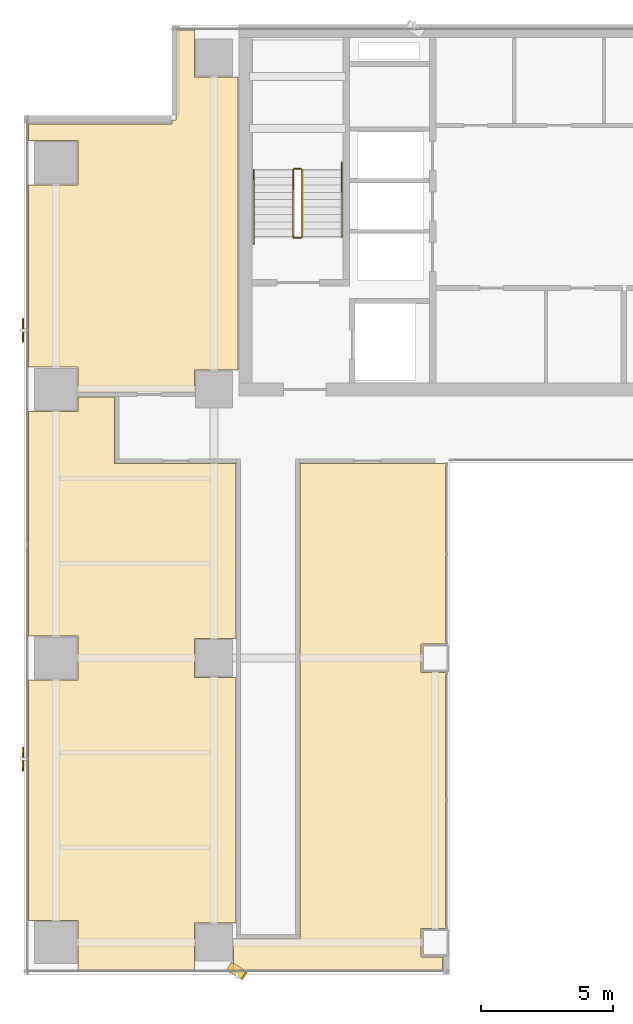
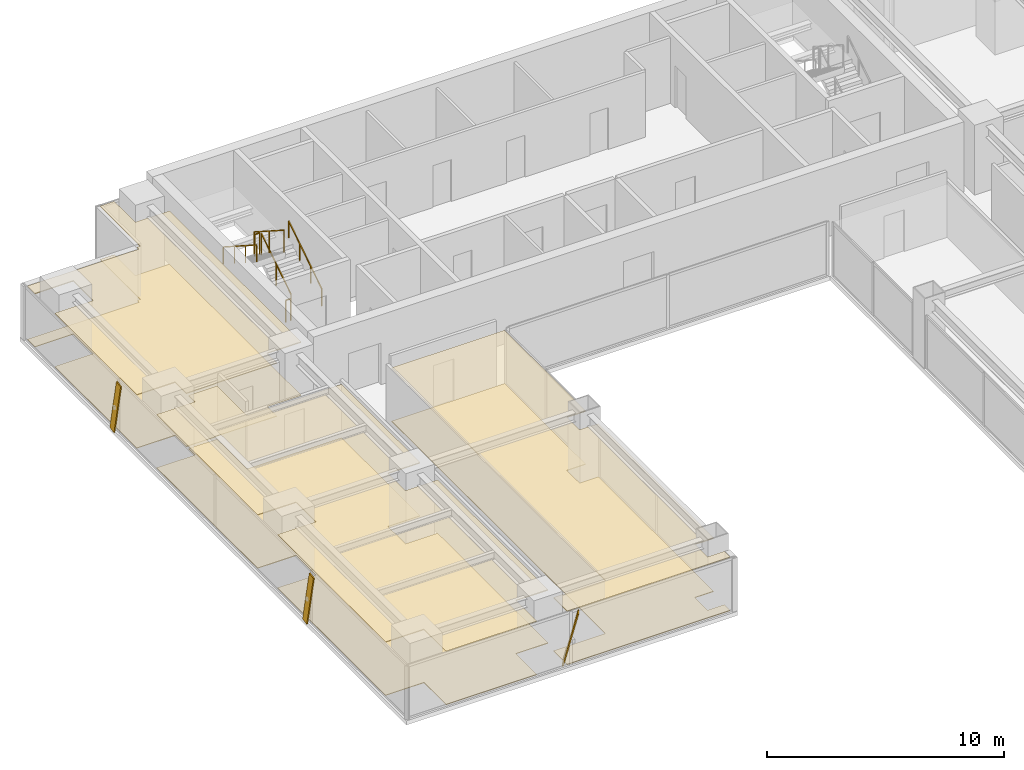
# One storey, part 26 of 29: 6 coverings, 6 railings, 3 shading devices.
"""IFC4 building model written with IfcOpenShell, lengths in metres."""

from ifc_helpers import new_model, si_unit, direction, frame, origin, origin_2d, place, context, subcontext, project, spatial, polyline, rectangle, outline, extrude, source, transform, mapped, material, layer, layer_set, material_profile, profile_set, type_object, element, save


model = new_model("IFC4")

# Units and contexts
model_context = context("Model", 3, precision=1e-05, world=origin(), true_north=direction((0.0, 1.0)))
body_context = subcontext(model_context, "Body", "Model", "MODEL_VIEW")
ifc_project = project(units=[si_unit("LENGTHUNIT", "METRE"), si_unit("AREAUNIT", "SQUARE_METRE"), si_unit("VOLUMEUNIT", "CUBIC_METRE"), si_unit("PLANEANGLEUNIT", "RADIAN"), si_unit("MASSUNIT", "GRAM", prefix="KILO")], contexts=[model_context])

# Site, building, storey
site_placement = place(None, origin())
site = spatial("IfcSite", under=ifc_project, at=site_placement, CompositionType="ELEMENT")
building_placement = place(site_placement, origin())
building = spatial("IfcBuilding", under=site, at=building_placement, Name="Sumidabori Civic Tower", CompositionType="ELEMENT")
storey_placement = place(building_placement, frame((0.0, 0.0, 214.39990234375)))
storey = spatial("IfcBuildingStorey", under=building, at=storey_placement, Name="L55", CompositionType="ELEMENT", Elevation=214.39990234375)

# Coverings
ifc_material_1 = material(Name="Perforated Timber Acoustic Ceiling", Category="wood")
ifc_layer_1 = layer(ifc_material_1, 0.044921875, Name="Perforated Timber Acoustic Ceiling")
ifc_layer_set_1 = layer_set([ifc_layer_1], Name="Perforated Timber Acoustic Ceiling")
covering_type_1 = type_object("IfcCoveringType", Name="CV-CEIL-AC2", PredefinedType="CEILING", material=ifc_layer_set_1)
covering_1_placement = place(storey_placement, frame((0.0, 0.0, 2.72998046875)))
element("IfcCovering", 1, at=covering_1_placement, inside=storey, type_object=covering_type_1, Name="Room Acoustic Ceiling L55-01", PredefinedType="CEILING", context=body_context, shape_type="SweptSolid", body=[
    extrude(outline(polyline([(-23.830078125, 17.9599609375), (-21.9599609375, 17.9599609375), (-21.9599609375, 19.639892578125), (-23.830078125, 19.639892578125), (-23.830078125, 20.27197265625), (-18.39208984375, 20.27197265625), (-18.39208984375, 20.429931640625), (-18.22998046875, 20.429931640625), (-18.22998046875, 23.830078125), (-17.5400390625, 23.830078125), (-17.5400390625, 22.06005859375), (-15.8779296875, 22.06005859375), (-15.8779296875, 10.93994140625), (-17.5400390625, 10.93994140625), (-17.5400390625, 10.1201171875), (-20.570068359375, 10.1201171875), (-20.570068359375, 10.094970703125), (-21.9599609375, 10.094970703125), (-21.9599609375, 11.0400390625), (-23.830078125, 11.0400390625), (-23.830078125, 17.9599609375)])), origin(), (0.0, 0.0, 1.0), 0.045166015625),
])
covering_2_placement = place(storey_placement, frame((0.0, 0.0, 2.72998046875)))
element("IfcCovering", 2, at=covering_2_placement, inside=storey, type_object=covering_type_1, Name="Room Acoustic Ceiling L55-03", PredefinedType="CEILING", context=body_context, shape_type="SweptSolid", body=[
    extrude(outline(polyline([(-23.830078125, -0.840087890625), (-21.9599609375, -0.840087890625), (-21.9599609375, 0.840087890625), (-23.830078125, 0.840087890625), (-23.830078125, 9.360107421875), (-21.9599609375, 9.360107421875), (-21.9599609375, 9.905029296875), (-20.570068359375, 9.905029296875), (-20.570068359375, 7.3798828125), (-15.969970703125, 7.3798828125), (-15.969970703125, 0.739990234375), (-17.5400390625, 0.739990234375), (-17.5400390625, -0.739990234375), (-15.969970703125, -0.739990234375), (-15.969970703125, -10.06005859375), (-17.5400390625, -10.06005859375), (-17.5400390625, -11.830078125), (-21.9599609375, -11.830078125), (-21.9599609375, -9.9599609375), (-23.830078125, -9.9599609375), (-23.830078125, -0.840087890625)])), origin(), (0.0, 0.0, 1.0), 0.045166015625),
])
covering_3_placement = place(storey_placement, frame((0.0, 0.0, 2.72998046875)))
element("IfcCovering", 3, at=covering_3_placement, inside=storey, type_object=covering_type_1, Name="Room Acoustic Ceiling L55-05", PredefinedType="CEILING", context=body_context, shape_type="SweptSolid", body=[
    extrude(outline(polyline([(-16.06005859375, -10.669921875), (-13.530029296875, -10.669921875), (-13.530029296875, 7.3798828125), (-8.02001953125, 7.3798828125), (-8.02001953125, 0.5400390625), (-8.93994140625, 0.5400390625), (-8.93994140625, -0.5400390625), (-8.02001953125, -0.5400390625), (-8.02001953125, -10.260009765625), (-8.93994140625, -10.260009765625), (-8.93994140625, -11.340087890625), (-8.117919921875, -11.341796875), (-8.117919921875, -11.830078125), (-16.06005859375, -11.830078125), (-16.06005859375, -10.669921875)])), origin(), (0.0, 0.0, 1.0), 0.045166015625),
])
ifc_material_2 = material(Name="Honed Terrazzo Tile Flooring")
ifc_layer_2 = layer(ifc_material_2, 0.030029296875, Name="Honed Terrazzo Tile Flooring")
ifc_layer_set_2 = layer_set([ifc_layer_2], Name="Honed Terrazzo Tile Flooring")
covering_type_2 = type_object("IfcCoveringType", Name="CV-FLR-TER", PredefinedType="FLOORING", material=ifc_layer_set_2)
covering_4_placement = place(storey_placement, origin())
element("IfcCovering", 4, at=covering_4_placement, inside=storey, type_object=covering_type_2, Name="Room Terrazzo Floor L55-01", PredefinedType="FLOORING", context=body_context, shape_type="SweptSolid", body=[
    extrude(outline(polyline([(-23.830078125, 17.9599609375), (-21.9599609375, 17.9599609375), (-21.9599609375, 19.639892578125), (-23.830078125, 19.639892578125), (-23.830078125, 20.27197265625), (-18.39208984375, 20.27197265625), (-18.39208984375, 20.429931640625), (-18.22998046875, 20.429931640625), (-18.22998046875, 23.830078125), (-17.5400390625, 23.830078125), (-17.5400390625, 22.06005859375), (-15.8779296875, 22.06005859375), (-15.8779296875, 10.93994140625), (-17.5400390625, 10.93994140625), (-17.5400390625, 10.1201171875), (-20.570068359375, 10.1201171875), (-20.570068359375, 10.094970703125), (-21.9599609375, 10.094970703125), (-21.9599609375, 11.0400390625), (-23.830078125, 11.0400390625), (-23.830078125, 17.9599609375)])), origin(), (0.0, 0.0, 1.0), 0.030029296875),
])
covering_5_placement = place(storey_placement, origin())
element("IfcCovering", 5, at=covering_5_placement, inside=storey, type_object=covering_type_2, Name="Room Terrazzo Floor L55-03", PredefinedType="FLOORING", context=body_context, shape_type="SweptSolid", body=[
    extrude(outline(polyline([(-23.830078125, -0.840087890625), (-21.9599609375, -0.840087890625), (-21.9599609375, 0.840087890625), (-23.830078125, 0.840087890625), (-23.830078125, 9.360107421875), (-21.9599609375, 9.360107421875), (-21.9599609375, 9.905029296875), (-20.570068359375, 9.905029296875), (-20.570068359375, 7.3798828125), (-15.969970703125, 7.3798828125), (-15.969970703125, 0.739990234375), (-17.5400390625, 0.739990234375), (-17.5400390625, -0.739990234375), (-15.969970703125, -0.739990234375), (-15.969970703125, -10.06005859375), (-17.5400390625, -10.06005859375), (-17.5400390625, -11.830078125), (-21.9599609375, -11.830078125), (-21.9599609375, -9.9599609375), (-23.830078125, -9.9599609375), (-23.830078125, -0.840087890625)])), origin(), (0.0, 0.0, 1.0), 0.030029296875),
])
covering_6_placement = place(storey_placement, origin())
element("IfcCovering", 6, at=covering_6_placement, inside=storey, type_object=covering_type_2, Name="Room Terrazzo Floor L55-05", PredefinedType="FLOORING", context=body_context, shape_type="SweptSolid", body=[
    extrude(outline(polyline([(-16.06005859375, -10.669921875), (-13.530029296875, -10.669921875), (-13.530029296875, 7.3798828125), (-8.02001953125, 7.3798828125), (-8.02001953125, 0.5400390625), (-8.93994140625, 0.5400390625), (-8.93994140625, -0.5400390625), (-8.02001953125, -0.5400390625), (-8.02001953125, -10.260009765625), (-8.93994140625, -10.260009765625), (-8.93994140625, -11.340087890625), (-8.117919921875, -11.341796875), (-8.117919921875, -11.830078125), (-16.06005859375, -11.830078125), (-16.06005859375, -10.669921875)])), origin(), (0.0, 0.0, 1.0), 0.030029296875),
])

# Railings
ifc_material_3 = material(Name="Stainless Steel Hairline Finish", Category="steel")
railing_type_1 = type_object("IfcRailingType", Name="RL-HANDRAIL", PredefinedType="HANDRAIL", material=ifc_material_3)
railing_1_placement = place(storey_placement, frame((-11.949951171875, 16.0, 0.18017578125)))
element("IfcRailing", 7, at=railing_1_placement, inside=storey, type_object=railing_type_1, Name="L55 ST-1 stair handrail 1", PredefinedType="HANDRAIL", context=body_context, shape_type="SweptSolid", body=[
    extrude(rectangle(XDim=0.048095703125, YDim=0.048095703125, at=origin_2d()), frame((0.0, 0.0, 0.8759765625), z_axis=(0.0, 0.840675598268, 0.541539046124), x_axis=(-1.0, 0.0, 0.0)), (0.0, 0.0, 1.0), 3.330810546875),
    extrude(rectangle(XDim=0.0419921875, YDim=0.0419921875, at=origin_2d()), origin(), (0.0, 0.0, 1.0), 0.851806640625),
    extrude(rectangle(XDim=0.0419921875, YDim=0.0419921875, at=origin_2d()), frame((0.0, 0.933349609375, 0.601318359375)), (0.0, 0.0, 1.0), 0.851806640625),
    extrude(rectangle(XDim=0.0419921875, YDim=0.0419921875, at=origin_2d()), frame((0.0, 1.86669921875, 1.202392578125)), (0.0, 0.0, 1.0), 0.851806640625),
    extrude(rectangle(XDim=0.0419921875, YDim=0.0419921875, at=origin_2d()), frame((0.0, 2.800048828125, 1.8037109375)), (0.0, 0.0, 1.0), 0.851806640625),
])
railing_2_placement = place(storey_placement, frame((-15.2900390625, 18.52001953125, 1.97998046875)))
element("IfcRailing", 8, at=railing_2_placement, inside=storey, type_object=railing_type_1, Name="L55 ST-1 stair handrail 2", PredefinedType="HANDRAIL", context=body_context, shape_type="SweptSolid", body=[
    extrude(rectangle(XDim=0.048095703125, YDim=0.048095703125, at=origin_2d()), frame((0.0, 0.0, 0.8759765625), z_axis=(0.0, -0.84064222762, 0.54159084662), x_axis=(1.0, 0.0, 0.0)), (0.0, 0.0, 1.0), 3.330810546875),
    extrude(rectangle(XDim=0.0419921875, YDim=0.0419921875, at=origin_2d()), origin(), (0.0, 0.0, 1.0), 0.851806640625),
    extrude(rectangle(XDim=0.0419921875, YDim=0.0419921875, at=origin_2d()), frame((0.0, -0.933349609375, 0.601318359375)), (0.0, 0.0, 1.0), 0.851806640625),
    extrude(rectangle(XDim=0.0419921875, YDim=0.0419921875, at=origin_2d()), frame((0.0, -1.86669921875, 1.20263671875)), (0.0, 0.0, 1.0), 0.851806640625),
    extrude(rectangle(XDim=0.0419921875, YDim=0.0419921875, at=origin_2d()), frame((0.0, -2.800048828125, 1.803955078125)), (0.0, 0.0, 1.0), 0.851806640625),
])
ifc_material_4 = material(Name="Steel SN490", Category="steel")
railing_type_2 = type_object("IfcRailingType", Name="RL-STAIR-GUARD", PredefinedType="GUARDRAIL", material=ifc_material_4)
railing_3_placement = place(storey_placement, frame((-13.449951171875, 16.0, 0.18017578125)))
element("IfcRailing", 9, at=railing_3_placement, inside=storey, type_object=railing_type_2, Name="L55 ST-1 stair guard 1", PredefinedType="GUARDRAIL", context=body_context, shape_type="SweptSolid", body=[
    extrude(rectangle(XDim=0.048095703125, YDim=0.048095703125, at=origin_2d()), frame((0.0, 0.0, 1.1259765625), z_axis=(0.0, 0.841199657755, 0.540724639528), x_axis=(-1.0, 0.0, 0.0)), (0.0, 0.0, 1.0), 2.995849609375),
    extrude(rectangle(XDim=0.0419921875, YDim=0.0419921875, at=origin_2d()), origin(), (0.0, 0.0, 1.0), 1.101806640625),
    extrude(rectangle(XDim=0.0419921875, YDim=0.0419921875, at=origin_2d()), frame((0.0, 1.260009765625, 0.81005859375)), (0.0, 0.0, 1.0), 1.101806640625),
    extrude(rectangle(XDim=0.0419921875, YDim=0.0419921875, at=origin_2d()), frame((0.0, 2.52001953125, 1.619873046875)), (0.0, 0.0, 1.0), 1.101806640625),
])
railing_4_placement = place(storey_placement, frame((-13.5, 18.570068359375, 1.800048828125)))
element("IfcRailing", 10, at=railing_4_placement, inside=storey, type_object=railing_type_2, Name="L55 ST-1 stair guard 2", PredefinedType="GUARDRAIL", context=body_context, shape_type="SweptSolid", body=[
    extrude(rectangle(XDim=0.048095703125, YDim=0.048095703125, at=origin_2d()), frame((0.0, 0.0, 1.1259765625), z_axis=(-1.0, 0.0, 0.0), x_axis=(0.0, -1.0, 0.0)), (0.0, 0.0, 1.0), 0.239990234375),
    extrude(rectangle(XDim=0.0419921875, YDim=0.0419921875, at=origin_2d()), origin(), (0.0, 0.0, 1.0), 1.101806640625),
    extrude(rectangle(XDim=0.0419921875, YDim=0.0419921875, at=origin_2d()), frame((-0.239990234375, 0.0, 0.0)), (0.0, 0.0, 1.0), 1.101806640625),
])
railing_5_placement = place(storey_placement, frame((-13.7900390625, 18.52001953125, 1.97998046875)))
element("IfcRailing", 11, at=railing_5_placement, inside=storey, type_object=railing_type_2, Name="L55 ST-1 stair guard 3", PredefinedType="GUARDRAIL", context=body_context, shape_type="SweptSolid", body=[
    extrude(rectangle(XDim=0.048095703125, YDim=0.048095703125, at=origin_2d()), frame((0.0, 0.0, 1.1259765625), z_axis=(0.0, -0.841162588446, 0.540782303519), x_axis=(1.0, 0.0, 0.0)), (0.0, 0.0, 1.0), 2.995849609375),
    extrude(rectangle(XDim=0.0419921875, YDim=0.0419921875, at=origin_2d()), origin(), (0.0, 0.0, 1.0), 1.101806640625),
    extrude(rectangle(XDim=0.0419921875, YDim=0.0419921875, at=origin_2d()), frame((0.0, -1.260009765625, 0.81005859375)), (0.0, 0.0, 1.0), 1.101806640625),
    extrude(rectangle(XDim=0.0419921875, YDim=0.0419921875, at=origin_2d()), frame((0.0, -2.52001953125, 1.6201171875)), (0.0, 0.0, 1.0), 1.101806640625),
])
railing_6_placement = place(storey_placement, frame((-13.5, 15.949951171875, 0.0)))
element("IfcRailing", 12, at=railing_6_placement, inside=storey, type_object=railing_type_2, Name="L55 ST-1 stair guard 4", PredefinedType="GUARDRAIL", context=body_context, shape_type="SweptSolid", body=[
    extrude(rectangle(XDim=0.048095703125, YDim=0.048095703125, at=origin_2d()), frame((0.0, 0.0, 1.1259765625), z_axis=(-1.0, 0.0, 0.0), x_axis=(0.0, -1.0, 0.0)), (0.0, 0.0, 1.0), 0.239990234375),
    extrude(rectangle(XDim=0.0419921875, YDim=0.0419921875, at=origin_2d()), origin(), (0.0, 0.0, 1.0), 1.101806640625),
    extrude(rectangle(XDim=0.0419921875, YDim=0.0419921875, at=origin_2d()), frame((-0.239990234375, 0.0, 0.0)), (0.0, 0.0, 1.0), 1.101806640625),
])

# Shading devices
ifc_material_5 = material(Name="Anodised Bronze Aluminium AW-6063-T6", Category="aluminium")
ifc_material_profile = material_profile(ifc_material_5, rectangle(XDim=0.054931640625, YDim=0.360107421875, at=origin_2d()), Name="BRONZE FIN 360x55")
ifc_profile_set = profile_set([ifc_material_profile], Name="Anodised Bronze Aluminium AW-6063-T6")
shading_device_type = type_object("IfcShadingDeviceType", Name="SH-FIN-360", PredefinedType="USERDEFINED", material=ifc_profile_set)
shared_shape_1 = source(origin(), body_context, "Body", "SweptSolid", [
    extrude(rectangle(XDim=0.054931640625, YDim=0.360107421875, at=origin_2d()), origin(), (0.0, 0.0, 1.0), 2.757568359375),
])
for number, where, z_axis, x_axis, name in (
    (13, (-24.050048828125, 12.715087890625, 0.02001953125), (0.0, -0.203091544008, 0.979159754459), (-1.0, 0.0, 0.0), "Bronze Anodised Diagonal Fin L55-01"),
    (14, (-24.050048828125, -3.554931640625, 0.02001953125), (0.0, -0.203091544008, 0.979159754459), (-1.0, 0.0, 0.0), "Bronze Anodised Diagonal Fin L55-03"),
):
    element("IfcShadingDevice", number, at=place(storey_placement, frame(where, z_axis=z_axis, x_axis=x_axis)), inside=storey, type_object=shading_device_type, Name=name, ObjectType="FIN", PredefinedType="USERDEFINED", context=body_context, shape_type="MappedRepresentation", body=[
        mapped(shared_shape_1, transform((0.0, 0.0, 0.0), x_axis=(1.0, 0.0, 0.0), y_axis=(0.0, 1.0, 0.0), z_axis=(0.0, 0.0, 1.0), scale=1.0)),
    ])
shared_shape_2 = source(origin(), body_context, "Body", "SweptSolid", [
    extrude(rectangle(XDim=0.054931640625, YDim=0.360107421875, at=origin_2d()), origin(), (0.0, 0.0, 1.0), 2.778564453125),
])
shading_device_placement = place(storey_placement, frame((-16.205078125, -11.7099609375, 0.02001953125), z_axis=(0.201564536174, -0.122397296814, 0.971797632992), x_axis=(0.830646061104, -0.504398414611, -0.235816370319)))
element("IfcShadingDevice", 15, at=shading_device_placement, inside=storey, type_object=shading_device_type, Name="Bronze Anodised Diagonal Fin L55-01", ObjectType="FIN", PredefinedType="USERDEFINED", context=body_context, shape_type="MappedRepresentation", body=[
    mapped(shared_shape_2, transform((0.0, 0.0, 0.0), x_axis=(1.0, 0.0, 0.0), y_axis=(0.0, 1.0, 0.0), z_axis=(0.0, 0.0, 1.0), scale=1.0)),
])

save(model, "model.ifc")
